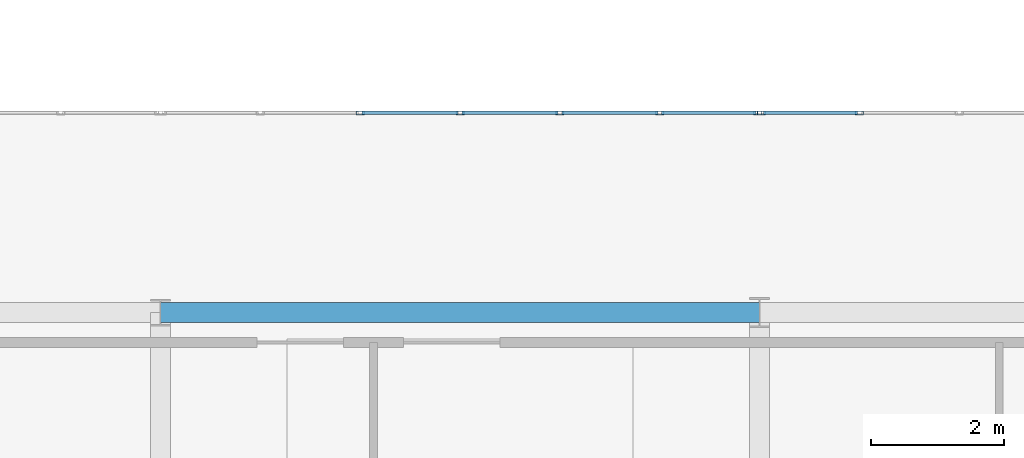
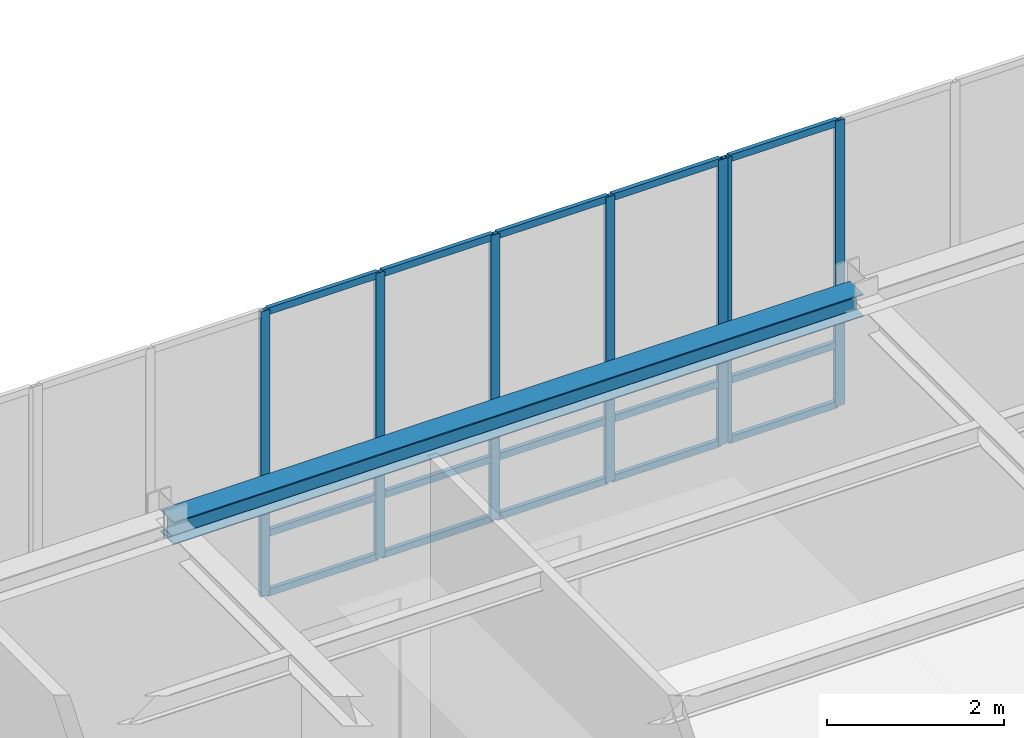
# One storey, part 24 of 130: 22 members, 1 beam, 2 elements without a shape of their own.
"""IFC4 building model written with IfcOpenShell, lengths in metres."""

from ifc_helpers import new_model, si_unit, direction, frame, origin, origin_2d, place, context, subcontext, project, spatial, hollow_rectangle, i_section, extrude, material, material_profile, profile_set, type_object, element, aggregate, save


model = new_model("IFC4")

# Units and contexts
model_context = context("Model", 3, precision=1e-05, world=origin(), true_north=direction((0.0, 1.0)))
body_context = subcontext(model_context, "Body", "Model", "MODEL_VIEW")
ifc_project = project(units=[si_unit("LENGTHUNIT", "METRE"), si_unit("AREAUNIT", "SQUARE_METRE"), si_unit("VOLUMEUNIT", "CUBIC_METRE"), si_unit("PLANEANGLEUNIT", "RADIAN"), si_unit("MASSUNIT", "GRAM", prefix="KILO")], contexts=[model_context])

# Site, building, storey
site_placement = place(None, origin())
site = spatial("IfcSite", under=ifc_project, at=site_placement, CompositionType="ELEMENT")
building_placement = place(site_placement, origin())
building = spatial("IfcBuilding", under=site, at=building_placement, Name="Lykobir Media Centre", CompositionType="ELEMENT")
storey_placement = place(building_placement, frame((0.0, 0.0, 19.199951171875)))
storey = spatial("IfcBuildingStorey", under=building, at=storey_placement, Name="L04", CompositionType="ELEMENT", Elevation=19.199951171875)

# Curtain wall, members
ifc_material_1 = material(Name="Anodized Aluminium AW-6060", Category="aluminium")
curtain_wall_type = type_object("IfcCurtainWallType", Name="CW-COURT-B", PredefinedType="NOTDEFINED", material=ifc_material_1)
curtain_wall_1_placement = place(storey_placement, origin())
curtain_wall_1 = element("IfcCurtainWall", 1, at=curtain_wall_1_placement, inside=storey, type_object=curtain_wall_type, Name="Curtain wall CW2-L04-0151", PredefinedType="NOTDEFINED")
ifc_material_profile_1 = material_profile(ifc_material_1, hollow_rectangle(XDim=0.054931640625, YDim=0.1201171875, WallThickness=0.003173828125, at=origin_2d()), Name="ALU MULLION 55x120")
ifc_profile_set_1 = profile_set([ifc_material_profile_1], Name="Anodized Aluminium AW-6060")
member_type_1 = type_object("IfcMemberType", Name="CWM-120", PredefinedType="MULLION", material=ifc_profile_set_1)
member_1_placement = place(storey_placement, frame((48.0, 21.0, 0.0), z_axis=(0.0, 0.0, 1.0), x_axis=(0.0, 1.0, 0.0)))
member_1 = element("IfcMember", 2, at=member_1_placement, type_object=member_type_1, Name="CW2-L04-0151 mullion 3", PredefinedType="MULLION", context=body_context, shape_type="SweptSolid", body=[
    extrude(hollow_rectangle(XDim=0.054931640625, YDim=0.1201171875, WallThickness=0.003173828125, at=origin_2d()), origin(), (0.0, 0.0, 1.0), 3.93994140625),
])
member_2_placement = place(storey_placement, frame((49.5, 21.0, 0.0), z_axis=(0.0, 0.0, 1.0), x_axis=(0.0, 1.0, 0.0)))
member_2 = element("IfcMember", 3, at=member_2_placement, type_object=member_type_1, Name="CW2-L04-0151 mullion 4", PredefinedType="MULLION", context=body_context, shape_type="SweptSolid", body=[
    extrude(hollow_rectangle(XDim=0.054931640625, YDim=0.1201171875, WallThickness=0.003173828125, at=origin_2d()), origin(), (0.0, 0.0, 1.0), 3.93994140625),
])
member_3_placement = place(storey_placement, frame((51.0, 21.0, 0.0), z_axis=(0.0, 0.0, 1.0), x_axis=(0.0, 1.0, 0.0)))
member_3 = element("IfcMember", 4, at=member_3_placement, type_object=member_type_1, Name="CW2-L04-0151 mullion 5", PredefinedType="MULLION", context=body_context, shape_type="SweptSolid", body=[
    extrude(hollow_rectangle(XDim=0.054931640625, YDim=0.1201171875, WallThickness=0.003173828125, at=origin_2d()), origin(), (0.0, 0.0, 1.0), 3.93994140625),
])
member_4_placement = place(storey_placement, frame((52.5, 21.0, 0.0), z_axis=(0.0, 0.0, 1.0), x_axis=(0.0, 1.0, 0.0)))
member_4 = element("IfcMember", 5, at=member_4_placement, type_object=member_type_1, Name="CW2-L04-0151 mullion 6", PredefinedType="MULLION", context=body_context, shape_type="SweptSolid", body=[
    extrude(hollow_rectangle(XDim=0.054931640625, YDim=0.1201171875, WallThickness=0.003173828125, at=origin_2d()), origin(), (0.0, 0.0, 1.0), 3.93994140625),
])
member_5_placement = place(storey_placement, frame((53.972412109375, 21.0, 0.0), z_axis=(0.0, 0.0, 1.0), x_axis=(0.0, 1.0, 0.0)))
member_5 = element("IfcMember", 6, at=member_5_placement, type_object=member_type_1, Name="CW2-L04-0151 mullion 7", PredefinedType="MULLION", context=body_context, shape_type="SweptSolid", body=[
    extrude(hollow_rectangle(XDim=0.054931640625, YDim=0.1201171875, WallThickness=0.003173828125, at=origin_2d()), origin(), (0.0, 0.0, 1.0), 3.93994140625),
])

curtain_wall_2_placement = place(storey_placement, origin())
curtain_wall_2 = element("IfcCurtainWall", 7, at=curtain_wall_2_placement, inside=storey, type_object=curtain_wall_type, Name="Curtain wall CW2-L04-0152", PredefinedType="NOTDEFINED")
member_6_placement = place(storey_placement, frame((54.027587890625, 21.0, 0.0), z_axis=(0.0, 0.0, 1.0), x_axis=(0.0, 1.0, 0.0)))
member_6 = element("IfcMember", 8, at=member_6_placement, type_object=member_type_1, Name="CW2-L04-0152 mullion 1", PredefinedType="MULLION", context=body_context, shape_type="SweptSolid", body=[
    extrude(hollow_rectangle(XDim=0.054931640625, YDim=0.1201171875, WallThickness=0.003173828125, at=origin_2d()), origin(), (0.0, 0.0, 1.0), 3.93994140625),
])
member_7_placement = place(storey_placement, frame((55.5, 21.0, 0.0), z_axis=(0.0, 0.0, 1.0), x_axis=(0.0, 1.0, 0.0)))
member_7 = element("IfcMember", 9, at=member_7_placement, type_object=member_type_1, Name="CW2-L04-0152 mullion 2", PredefinedType="MULLION", context=body_context, shape_type="SweptSolid", body=[
    extrude(hollow_rectangle(XDim=0.054931640625, YDim=0.1201171875, WallThickness=0.003173828125, at=origin_2d()), origin(), (0.0, 0.0, 1.0), 3.93994140625),
])

# Member
ifc_material_profile_2 = material_profile(ifc_material_1, hollow_rectangle(XDim=0.054931640625, YDim=0.094970703125, WallThickness=0.0029296875, at=origin_2d()), Name="ALU TRANSOM 55x95")
ifc_profile_set_2 = profile_set([ifc_material_profile_2], Name="Anodized Aluminium AW-6060")
member_type_2 = type_object("IfcMemberType", Name="CWT-095", PredefinedType="USERDEFINED", material=ifc_profile_set_2)
member_8_placement = place(storey_placement, frame((48.027587890625, 21.0, 0.027587890625), z_axis=(1.0, 0.0, 0.0), x_axis=(0.0, 1.0, 0.0)))
member_8 = element("IfcMember", 10, at=member_8_placement, type_object=member_type_2, Name="CW2-L04-0151 transom 3.1", ObjectType="TRANSOM", PredefinedType="USERDEFINED", context=body_context, shape_type="SweptSolid", body=[
    extrude(hollow_rectangle(XDim=0.054931640625, YDim=0.094970703125, WallThickness=0.0029296875, at=origin_2d()), origin(), (0.0, 0.0, 1.0), 1.44482421875),
])

member_9_placement = place(storey_placement, frame((48.027587890625, 21.0, 0.85009765625), z_axis=(1.0, 0.0, 0.0), x_axis=(0.0, 1.0, 0.0)))
member_9 = element("IfcMember", 11, at=member_9_placement, type_object=member_type_2, Name="CW2-L04-0151 transom 3.2", ObjectType="TRANSOM", PredefinedType="USERDEFINED", context=body_context, shape_type="SweptSolid", body=[
    extrude(hollow_rectangle(XDim=0.054931640625, YDim=0.094970703125, WallThickness=0.0029296875, at=origin_2d()), origin(), (0.0, 0.0, 1.0), 1.44482421875),
])

member_10_placement = place(storey_placement, frame((48.027587890625, 21.0, 3.91259765625), z_axis=(1.0, 0.0, 0.0), x_axis=(0.0, 1.0, 0.0)))
member_10 = element("IfcMember", 12, at=member_10_placement, type_object=member_type_2, Name="CW2-L04-0151 transom 3.3", ObjectType="TRANSOM", PredefinedType="USERDEFINED", context=body_context, shape_type="SweptSolid", body=[
    extrude(hollow_rectangle(XDim=0.054931640625, YDim=0.094970703125, WallThickness=0.0029296875, at=origin_2d()), origin(), (0.0, 0.0, 1.0), 1.44482421875),
])

member_11_placement = place(storey_placement, frame((49.527587890625, 21.0, 0.027587890625), z_axis=(1.0, 0.0, 0.0), x_axis=(0.0, 1.0, 0.0)))
member_11 = element("IfcMember", 13, at=member_11_placement, type_object=member_type_2, Name="CW2-L04-0151 transom 4.1", ObjectType="TRANSOM", PredefinedType="USERDEFINED", context=body_context, shape_type="SweptSolid", body=[
    extrude(hollow_rectangle(XDim=0.054931640625, YDim=0.094970703125, WallThickness=0.0029296875, at=origin_2d()), origin(), (0.0, 0.0, 1.0), 1.44482421875),
])

member_12_placement = place(storey_placement, frame((49.527587890625, 21.0, 0.85009765625), z_axis=(1.0, 0.0, 0.0), x_axis=(0.0, 1.0, 0.0)))
member_12 = element("IfcMember", 14, at=member_12_placement, type_object=member_type_2, Name="CW2-L04-0151 transom 4.2", ObjectType="TRANSOM", PredefinedType="USERDEFINED", context=body_context, shape_type="SweptSolid", body=[
    extrude(hollow_rectangle(XDim=0.054931640625, YDim=0.094970703125, WallThickness=0.0029296875, at=origin_2d()), origin(), (0.0, 0.0, 1.0), 1.44482421875),
])

member_13_placement = place(storey_placement, frame((49.527587890625, 21.0, 3.91259765625), z_axis=(1.0, 0.0, 0.0), x_axis=(0.0, 1.0, 0.0)))
member_13 = element("IfcMember", 15, at=member_13_placement, type_object=member_type_2, Name="CW2-L04-0151 transom 4.3", ObjectType="TRANSOM", PredefinedType="USERDEFINED", context=body_context, shape_type="SweptSolid", body=[
    extrude(hollow_rectangle(XDim=0.054931640625, YDim=0.094970703125, WallThickness=0.0029296875, at=origin_2d()), origin(), (0.0, 0.0, 1.0), 1.44482421875),
])

member_14_placement = place(storey_placement, frame((51.027587890625, 21.0, 0.027587890625), z_axis=(1.0, 0.0, 0.0), x_axis=(0.0, 1.0, 0.0)))
member_14 = element("IfcMember", 16, at=member_14_placement, type_object=member_type_2, Name="CW2-L04-0151 transom 5.1", ObjectType="TRANSOM", PredefinedType="USERDEFINED", context=body_context, shape_type="SweptSolid", body=[
    extrude(hollow_rectangle(XDim=0.054931640625, YDim=0.094970703125, WallThickness=0.0029296875, at=origin_2d()), origin(), (0.0, 0.0, 1.0), 1.44482421875),
])

member_15_placement = place(storey_placement, frame((51.027587890625, 21.0, 0.85009765625), z_axis=(1.0, 0.0, 0.0), x_axis=(0.0, 1.0, 0.0)))
member_15 = element("IfcMember", 17, at=member_15_placement, type_object=member_type_2, Name="CW2-L04-0151 transom 5.2", ObjectType="TRANSOM", PredefinedType="USERDEFINED", context=body_context, shape_type="SweptSolid", body=[
    extrude(hollow_rectangle(XDim=0.054931640625, YDim=0.094970703125, WallThickness=0.0029296875, at=origin_2d()), origin(), (0.0, 0.0, 1.0), 1.44482421875),
])

member_16_placement = place(storey_placement, frame((51.027587890625, 21.0, 3.91259765625), z_axis=(1.0, 0.0, 0.0), x_axis=(0.0, 1.0, 0.0)))
member_16 = element("IfcMember", 18, at=member_16_placement, type_object=member_type_2, Name="CW2-L04-0151 transom 5.3", ObjectType="TRANSOM", PredefinedType="USERDEFINED", context=body_context, shape_type="SweptSolid", body=[
    extrude(hollow_rectangle(XDim=0.054931640625, YDim=0.094970703125, WallThickness=0.0029296875, at=origin_2d()), origin(), (0.0, 0.0, 1.0), 1.44482421875),
])

member_17_placement = place(storey_placement, frame((52.527587890625, 21.0, 0.027587890625), z_axis=(1.0, 0.0, 0.0), x_axis=(0.0, 1.0, 0.0)))
member_17 = element("IfcMember", 19, at=member_17_placement, type_object=member_type_2, Name="CW2-L04-0151 transom 6.1", ObjectType="TRANSOM", PredefinedType="USERDEFINED", context=body_context, shape_type="SweptSolid", body=[
    extrude(hollow_rectangle(XDim=0.054931640625, YDim=0.094970703125, WallThickness=0.0029296875, at=origin_2d()), origin(), (0.0, 0.0, 1.0), 1.41748046875),
])

member_18_placement = place(storey_placement, frame((52.527587890625, 21.0, 0.85009765625), z_axis=(1.0, 0.0, 0.0), x_axis=(0.0, 1.0, 0.0)))
member_18 = element("IfcMember", 20, at=member_18_placement, type_object=member_type_2, Name="CW2-L04-0151 transom 6.2", ObjectType="TRANSOM", PredefinedType="USERDEFINED", context=body_context, shape_type="SweptSolid", body=[
    extrude(hollow_rectangle(XDim=0.054931640625, YDim=0.094970703125, WallThickness=0.0029296875, at=origin_2d()), origin(), (0.0, 0.0, 1.0), 1.41748046875),
])

member_19_placement = place(storey_placement, frame((52.527587890625, 21.0, 3.91259765625), z_axis=(1.0, 0.0, 0.0), x_axis=(0.0, 1.0, 0.0)))
member_19 = element("IfcMember", 21, at=member_19_placement, type_object=member_type_2, Name="CW2-L04-0151 transom 6.3", ObjectType="TRANSOM", PredefinedType="USERDEFINED", context=body_context, shape_type="SweptSolid", body=[
    extrude(hollow_rectangle(XDim=0.054931640625, YDim=0.094970703125, WallThickness=0.0029296875, at=origin_2d()), origin(), (0.0, 0.0, 1.0), 1.41748046875),
])

aggregate(curtain_wall_1, [member_1, member_2, member_3, member_4, member_5, member_8, member_9, member_10, member_11, member_12, member_13, member_14, member_15, member_16, member_17, member_18, member_19])

member_20_placement = place(storey_placement, frame((54.054931640625, 21.0, 0.027587890625), z_axis=(1.0, 0.0, 0.0), x_axis=(0.0, 1.0, 0.0)))
member_20 = element("IfcMember", 22, at=member_20_placement, type_object=member_type_2, Name="CW2-L04-0152 transom 1.1", ObjectType="TRANSOM", PredefinedType="USERDEFINED", context=body_context, shape_type="SweptSolid", body=[
    extrude(hollow_rectangle(XDim=0.054931640625, YDim=0.094970703125, WallThickness=0.0029296875, at=origin_2d()), origin(), (0.0, 0.0, 1.0), 1.41748046875),
])

member_21_placement = place(storey_placement, frame((54.054931640625, 21.0, 0.85009765625), z_axis=(1.0, 0.0, 0.0), x_axis=(0.0, 1.0, 0.0)))
member_21 = element("IfcMember", 23, at=member_21_placement, type_object=member_type_2, Name="CW2-L04-0152 transom 1.2", ObjectType="TRANSOM", PredefinedType="USERDEFINED", context=body_context, shape_type="SweptSolid", body=[
    extrude(hollow_rectangle(XDim=0.054931640625, YDim=0.094970703125, WallThickness=0.0029296875, at=origin_2d()), origin(), (0.0, 0.0, 1.0), 1.41748046875),
])

member_22_placement = place(storey_placement, frame((54.054931640625, 21.0, 3.91259765625), z_axis=(1.0, 0.0, 0.0), x_axis=(0.0, 1.0, 0.0)))
member_22 = element("IfcMember", 24, at=member_22_placement, type_object=member_type_2, Name="CW2-L04-0152 transom 1.3", ObjectType="TRANSOM", PredefinedType="USERDEFINED", context=body_context, shape_type="SweptSolid", body=[
    extrude(hollow_rectangle(XDim=0.054931640625, YDim=0.094970703125, WallThickness=0.0029296875, at=origin_2d()), origin(), (0.0, 0.0, 1.0), 1.41748046875),
])

aggregate(curtain_wall_2, [member_6, member_7, member_20, member_21, member_22])

# Beam
ifc_material_2 = material(Name="Steel S355", Category="steel")
ifc_material_profile_3 = material_profile(ifc_material_2, i_section(OverallWidth=0.300048828125, OverallDepth=0.31005859375, WebThickness=0.009033203125, FlangeThickness=0.015380859375, at=origin_2d()), Name="HEA 320")
ifc_profile_set_3 = profile_set([ifc_material_profile_3], Name="Steel S355")
beam_type = type_object("IfcBeamType", Name="SP-HEA320", PredefinedType="SPANDREL", material=ifc_profile_set_3)
beam_placement = place(storey_placement, frame((45.0, 18.0, 3.804931640625), z_axis=(1.0, 0.0, 0.0), x_axis=(0.0, 1.0, 0.0)))
element("IfcBeam", 25, at=beam_placement, inside=storey, type_object=beam_type, Name="Beam BM-L04-0450-0180-0540-0180-2300", PredefinedType="SPANDREL", context=body_context, shape_type="SweptSolid", body=[
    extrude(i_section(OverallWidth=0.300048828125, OverallDepth=0.31005859375, WebThickness=0.009033203125, FlangeThickness=0.015380859375, at=origin_2d()), origin(), (0.0, 0.0, 1.0), 9.0),
])

save(model, "model.ifc")
